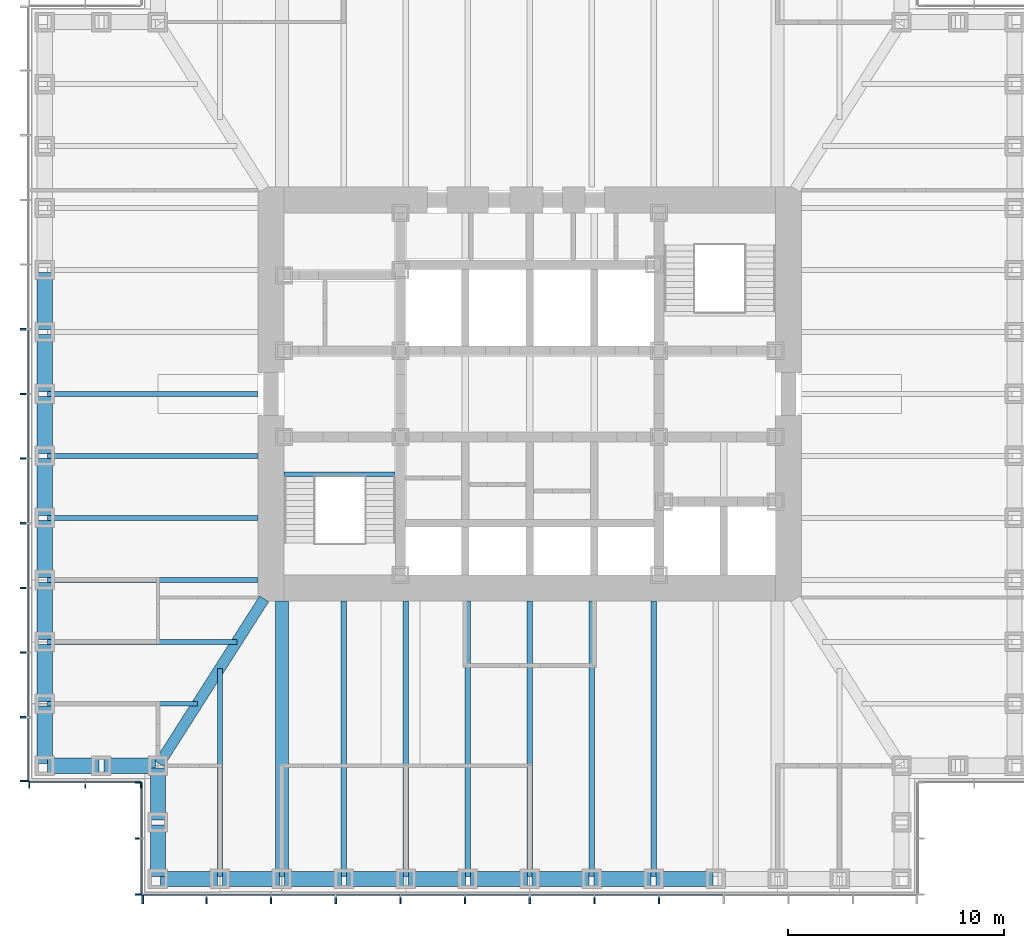
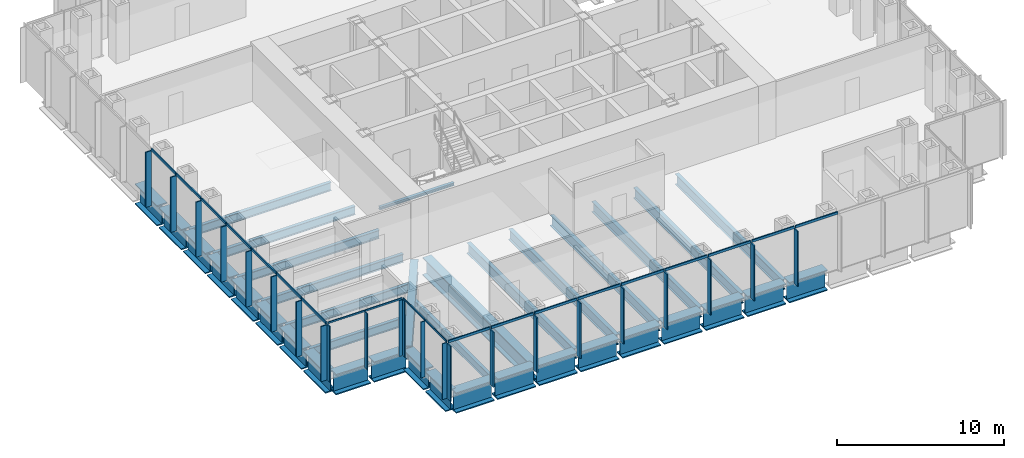
# One storey, part 2 of 16: 43 members, 37 beams, 4 elements without a shape of their own.
"""IFC4 building model written with IfcOpenShell, lengths in metres."""

from ifc_helpers import new_model, si_unit, direction, frame, origin, origin_2d, place, context, subcontext, project, spatial, rectangle, i_section, extrude, material, material_profile, profile_set, type_object, element, aggregate, save


model = new_model("IFC4")

# Units and contexts
model_context = context("Model", 3, precision=1e-05, world=origin(), true_north=direction((0.0, 1.0)))
body_context = subcontext(model_context, "Body", "Model", "MODEL_VIEW")
ifc_project = project(units=[si_unit("LENGTHUNIT", "METRE"), si_unit("AREAUNIT", "SQUARE_METRE"), si_unit("VOLUMEUNIT", "CUBIC_METRE"), si_unit("PLANEANGLEUNIT", "RADIAN"), si_unit("MASSUNIT", "GRAM", prefix="KILO")], contexts=[model_context])

# Site, building, storey
site_placement = place(None, origin())
site = spatial("IfcSite", under=ifc_project, at=site_placement, CompositionType="ELEMENT")
building_placement = place(site_placement, origin())
building = spatial("IfcBuilding", under=site, at=building_placement, Name="Daluyong Arena Tower", CompositionType="ELEMENT")
storey_placement = place(building_placement, frame((0.0, 0.0, 116.5)))
storey = spatial("IfcBuildingStorey", under=building, at=storey_placement, Name="L25", CompositionType="ELEMENT", Elevation=116.5)

# Curtain wall, members
ifc_material_1 = material(Name="Bronze anodised aluminium and glass", Category="aluminium")
curtain_wall_type_1 = type_object("IfcCurtainWallType", Name="Curtain wall CW2", PredefinedType="USERDEFINED", material=ifc_material_1)
curtain_wall_1_placement = place(storey_placement, origin())
curtain_wall_1 = element("IfcCurtainWall", 1, at=curtain_wall_1_placement, inside=storey, type_object=curtain_wall_type_1, Name="curtain wall L25 S", ObjectType="UNITISED CURTAIN WALL", PredefinedType="USERDEFINED")
ifc_material_2 = material(Name="Bronze anodised aluminium fin", Category="aluminium")
ifc_material_profile_1 = material_profile(ifc_material_2, rectangle(XDim=0.39990234375, YDim=0.080078125, at=origin_2d()))
ifc_profile_set_1 = profile_set([ifc_material_profile_1], Name="Bronze anodised aluminium fin")
member_type_1 = type_object("IfcMemberType", Name="CW2 bronze fin 400x80", PredefinedType="MULLION", material=ifc_profile_set_1)
member_1_placement = place(storey_placement, frame((38.0400390625, 56.550048828125, 0.0), z_axis=(0.0, 0.0, 1.0), x_axis=(0.0, 1.0, 0.0)))
member_1 = element("IfcMember", 2, at=member_1_placement, type_object=member_type_1, Name="curtain wall L25 S fin 1", PredefinedType="MULLION", context=body_context, shape_type="SweptSolid", body=[
    extrude(rectangle(XDim=0.39990234375, YDim=0.080078125, at=origin_2d()), origin(), (0.0, 0.0, 1.0), 4.02001953125),
])
member_2_placement = place(storey_placement, frame((41.0, 56.550048828125, 0.0), z_axis=(0.0, 0.0, 1.0), x_axis=(0.0, 1.0, 0.0)))
member_2 = element("IfcMember", 3, at=member_2_placement, type_object=member_type_1, Name="curtain wall L25 S fin 2", PredefinedType="MULLION", context=body_context, shape_type="SweptSolid", body=[
    extrude(rectangle(XDim=0.39990234375, YDim=0.080078125, at=origin_2d()), origin(), (0.0, 0.0, 1.0), 4.02001953125),
])
member_3_placement = place(storey_placement, frame((44.0, 56.550048828125, 0.0), z_axis=(0.0, 0.0, 1.0), x_axis=(0.0, 1.0, 0.0)))
member_3 = element("IfcMember", 4, at=member_3_placement, type_object=member_type_1, Name="curtain wall L25 S fin 3", PredefinedType="MULLION", context=body_context, shape_type="SweptSolid", body=[
    extrude(rectangle(XDim=0.39990234375, YDim=0.080078125, at=origin_2d()), origin(), (0.0, 0.0, 1.0), 4.02001953125),
])
member_4_placement = place(storey_placement, frame((47.0, 56.550048828125, 0.0), z_axis=(0.0, 0.0, 1.0), x_axis=(0.0, 1.0, 0.0)))
member_4 = element("IfcMember", 5, at=member_4_placement, type_object=member_type_1, Name="curtain wall L25 S fin 4", PredefinedType="MULLION", context=body_context, shape_type="SweptSolid", body=[
    extrude(rectangle(XDim=0.39990234375, YDim=0.080078125, at=origin_2d()), origin(), (0.0, 0.0, 1.0), 4.02001953125),
])
member_5_placement = place(storey_placement, frame((50.0, 56.550048828125, 0.0), z_axis=(0.0, 0.0, 1.0), x_axis=(0.0, 1.0, 0.0)))
member_5 = element("IfcMember", 6, at=member_5_placement, type_object=member_type_1, Name="curtain wall L25 S fin 5", PredefinedType="MULLION", context=body_context, shape_type="SweptSolid", body=[
    extrude(rectangle(XDim=0.39990234375, YDim=0.080078125, at=origin_2d()), origin(), (0.0, 0.0, 1.0), 4.02001953125),
])
member_6_placement = place(storey_placement, frame((53.0, 56.550048828125, 0.0), z_axis=(0.0, 0.0, 1.0), x_axis=(0.0, 1.0, 0.0)))
member_6 = element("IfcMember", 7, at=member_6_placement, type_object=member_type_1, Name="curtain wall L25 S fin 6", PredefinedType="MULLION", context=body_context, shape_type="SweptSolid", body=[
    extrude(rectangle(XDim=0.39990234375, YDim=0.080078125, at=origin_2d()), origin(), (0.0, 0.0, 1.0), 4.02001953125),
])
member_7_placement = place(storey_placement, frame((56.0, 56.550048828125, 0.0), z_axis=(0.0, 0.0, 1.0), x_axis=(0.0, 1.0, 0.0)))
member_7 = element("IfcMember", 8, at=member_7_placement, type_object=member_type_1, Name="curtain wall L25 S fin 7", PredefinedType="MULLION", context=body_context, shape_type="SweptSolid", body=[
    extrude(rectangle(XDim=0.39990234375, YDim=0.080078125, at=origin_2d()), origin(), (0.0, 0.0, 1.0), 4.02001953125),
])
member_8_placement = place(storey_placement, frame((59.0, 56.550048828125, 0.0), z_axis=(0.0, 0.0, 1.0), x_axis=(0.0, 1.0, 0.0)))
member_8 = element("IfcMember", 9, at=member_8_placement, type_object=member_type_1, Name="curtain wall L25 S fin 8", PredefinedType="MULLION", context=body_context, shape_type="SweptSolid", body=[
    extrude(rectangle(XDim=0.39990234375, YDim=0.080078125, at=origin_2d()), origin(), (0.0, 0.0, 1.0), 4.02001953125),
])
member_9_placement = place(storey_placement, frame((62.0, 56.550048828125, 0.0), z_axis=(0.0, 0.0, 1.0), x_axis=(0.0, 1.0, 0.0)))
member_9 = element("IfcMember", 10, at=member_9_placement, type_object=member_type_1, Name="curtain wall L25 S fin 9", PredefinedType="MULLION", context=body_context, shape_type="SweptSolid", body=[
    extrude(rectangle(XDim=0.39990234375, YDim=0.080078125, at=origin_2d()), origin(), (0.0, 0.0, 1.0), 4.02001953125),
])

curtain_wall_2_placement = place(storey_placement, origin())
curtain_wall_2 = element("IfcCurtainWall", 11, at=curtain_wall_2_placement, inside=storey, type_object=curtain_wall_type_1, Name="curtain wall L25 W", ObjectType="UNITISED CURTAIN WALL", PredefinedType="USERDEFINED")
member_10_placement = place(storey_placement, frame((32.550048828125, 83.0, 0.0), z_axis=(0.0, 0.0, 1.0), x_axis=(1.0, 0.0, 0.0)))
member_10 = element("IfcMember", 12, at=member_10_placement, type_object=member_type_1, Name="curtain wall L25 W fin 6", PredefinedType="MULLION", context=body_context, shape_type="SweptSolid", body=[
    extrude(rectangle(XDim=0.39990234375, YDim=0.080078125, at=origin_2d()), origin(), (0.0, 0.0, 1.0), 4.02001953125),
])
member_11_placement = place(storey_placement, frame((32.550048828125, 80.0, 0.0), z_axis=(0.0, 0.0, 1.0), x_axis=(1.0, 0.0, 0.0)))
member_11 = element("IfcMember", 13, at=member_11_placement, type_object=member_type_1, Name="curtain wall L25 W fin 7", PredefinedType="MULLION", context=body_context, shape_type="SweptSolid", body=[
    extrude(rectangle(XDim=0.39990234375, YDim=0.080078125, at=origin_2d()), origin(), (0.0, 0.0, 1.0), 4.02001953125),
])
member_12_placement = place(storey_placement, frame((32.550048828125, 77.0, 0.0), z_axis=(0.0, 0.0, 1.0), x_axis=(1.0, 0.0, 0.0)))
member_12 = element("IfcMember", 14, at=member_12_placement, type_object=member_type_1, Name="curtain wall L25 W fin 8", PredefinedType="MULLION", context=body_context, shape_type="SweptSolid", body=[
    extrude(rectangle(XDim=0.39990234375, YDim=0.080078125, at=origin_2d()), origin(), (0.0, 0.0, 1.0), 4.02001953125),
])
member_13_placement = place(storey_placement, frame((32.550048828125, 74.0, 0.0), z_axis=(0.0, 0.0, 1.0), x_axis=(1.0, 0.0, 0.0)))
member_13 = element("IfcMember", 15, at=member_13_placement, type_object=member_type_1, Name="curtain wall L25 W fin 9", PredefinedType="MULLION", context=body_context, shape_type="SweptSolid", body=[
    extrude(rectangle(XDim=0.39990234375, YDim=0.080078125, at=origin_2d()), origin(), (0.0, 0.0, 1.0), 4.02001953125),
])
member_14_placement = place(storey_placement, frame((32.550048828125, 71.0, 0.0), z_axis=(0.0, 0.0, 1.0), x_axis=(1.0, 0.0, 0.0)))
member_14 = element("IfcMember", 16, at=member_14_placement, type_object=member_type_1, Name="curtain wall L25 W fin 10", PredefinedType="MULLION", context=body_context, shape_type="SweptSolid", body=[
    extrude(rectangle(XDim=0.39990234375, YDim=0.080078125, at=origin_2d()), origin(), (0.0, 0.0, 1.0), 4.02001953125),
])
member_15_placement = place(storey_placement, frame((32.550048828125, 68.0, 0.0), z_axis=(0.0, 0.0, 1.0), x_axis=(1.0, 0.0, 0.0)))
member_15 = element("IfcMember", 17, at=member_15_placement, type_object=member_type_1, Name="curtain wall L25 W fin 11", PredefinedType="MULLION", context=body_context, shape_type="SweptSolid", body=[
    extrude(rectangle(XDim=0.39990234375, YDim=0.080078125, at=origin_2d()), origin(), (0.0, 0.0, 1.0), 4.02001953125),
])
member_16_placement = place(storey_placement, frame((32.550048828125, 65.0, 0.0), z_axis=(0.0, 0.0, 1.0), x_axis=(1.0, 0.0, 0.0)))
member_16 = element("IfcMember", 18, at=member_16_placement, type_object=member_type_1, Name="curtain wall L25 W fin 12", PredefinedType="MULLION", context=body_context, shape_type="SweptSolid", body=[
    extrude(rectangle(XDim=0.39990234375, YDim=0.080078125, at=origin_2d()), origin(), (0.0, 0.0, 1.0), 4.02001953125),
])
member_17_placement = place(storey_placement, frame((32.550048828125, 62.0400390625, 0.0), z_axis=(0.0, 0.0, 1.0), x_axis=(1.0, 0.0, 0.0)))
member_17 = element("IfcMember", 19, at=member_17_placement, type_object=member_type_1, Name="curtain wall L25 W fin 13", PredefinedType="MULLION", context=body_context, shape_type="SweptSolid", body=[
    extrude(rectangle(XDim=0.39990234375, YDim=0.080078125, at=origin_2d()), origin(), (0.0, 0.0, 1.0), 4.02001953125),
])

# Member
ifc_material_3 = material(Name="Bronze anodised aluminium", Category="aluminium")
ifc_material_profile_2 = material_profile(ifc_material_3, rectangle(XDim=0.080078125, YDim=0.179931640625, at=origin_2d()))
ifc_profile_set_2 = profile_set([ifc_material_profile_2], Name="Bronze anodised aluminium")
member_type_2 = type_object("IfcMemberType", Name="CW2 stack transom 180x80", PredefinedType="USERDEFINED", material=ifc_profile_set_2)
member_18_placement = place(storey_placement, frame((38.080078125, 56.75, 4.110107421875), z_axis=(1.0, 0.0, 0.0), x_axis=(0.0, 1.0, 0.0)))
member_18 = element("IfcMember", 20, at=member_18_placement, type_object=member_type_2, Name="curtain wall L25 S transom 1", ObjectType="TRANSOM", PredefinedType="USERDEFINED", context=body_context, shape_type="SweptSolid", body=[
    extrude(rectangle(XDim=0.080078125, YDim=0.179931640625, at=origin_2d()), origin(), (0.0, 0.0, 1.0), 2.8798828125),
])

member_19_placement = place(storey_placement, frame((41.0400390625, 56.75, 4.110107421875), z_axis=(1.0, 0.0, 0.0), x_axis=(0.0, 1.0, 0.0)))
member_19 = element("IfcMember", 21, at=member_19_placement, type_object=member_type_2, Name="curtain wall L25 S transom 2", ObjectType="TRANSOM", PredefinedType="USERDEFINED", context=body_context, shape_type="SweptSolid", body=[
    extrude(rectangle(XDim=0.080078125, YDim=0.179931640625, at=origin_2d()), origin(), (0.0, 0.0, 1.0), 2.919921875),
])

member_20_placement = place(storey_placement, frame((44.0400390625, 56.75, 4.110107421875), z_axis=(1.0, 0.0, 0.0), x_axis=(0.0, 1.0, 0.0)))
member_20 = element("IfcMember", 22, at=member_20_placement, type_object=member_type_2, Name="curtain wall L25 S transom 3", ObjectType="TRANSOM", PredefinedType="USERDEFINED", context=body_context, shape_type="SweptSolid", body=[
    extrude(rectangle(XDim=0.080078125, YDim=0.179931640625, at=origin_2d()), origin(), (0.0, 0.0, 1.0), 2.919921875),
])

member_21_placement = place(storey_placement, frame((47.0400390625, 56.75, 4.110107421875), z_axis=(1.0, 0.0, 0.0), x_axis=(0.0, 1.0, 0.0)))
member_21 = element("IfcMember", 23, at=member_21_placement, type_object=member_type_2, Name="curtain wall L25 S transom 4", ObjectType="TRANSOM", PredefinedType="USERDEFINED", context=body_context, shape_type="SweptSolid", body=[
    extrude(rectangle(XDim=0.080078125, YDim=0.179931640625, at=origin_2d()), origin(), (0.0, 0.0, 1.0), 2.919921875),
])

member_22_placement = place(storey_placement, frame((50.0400390625, 56.75, 4.110107421875), z_axis=(1.0, 0.0, 0.0), x_axis=(0.0, 1.0, 0.0)))
member_22 = element("IfcMember", 24, at=member_22_placement, type_object=member_type_2, Name="curtain wall L25 S transom 5", ObjectType="TRANSOM", PredefinedType="USERDEFINED", context=body_context, shape_type="SweptSolid", body=[
    extrude(rectangle(XDim=0.080078125, YDim=0.179931640625, at=origin_2d()), origin(), (0.0, 0.0, 1.0), 2.919921875),
])

member_23_placement = place(storey_placement, frame((53.0400390625, 56.75, 4.110107421875), z_axis=(1.0, 0.0, 0.0), x_axis=(0.0, 1.0, 0.0)))
member_23 = element("IfcMember", 25, at=member_23_placement, type_object=member_type_2, Name="curtain wall L25 S transom 6", ObjectType="TRANSOM", PredefinedType="USERDEFINED", context=body_context, shape_type="SweptSolid", body=[
    extrude(rectangle(XDim=0.080078125, YDim=0.179931640625, at=origin_2d()), origin(), (0.0, 0.0, 1.0), 2.919921875),
])

member_24_placement = place(storey_placement, frame((56.0400390625, 56.75, 4.110107421875), z_axis=(1.0, 0.0, 0.0), x_axis=(0.0, 1.0, 0.0)))
member_24 = element("IfcMember", 26, at=member_24_placement, type_object=member_type_2, Name="curtain wall L25 S transom 7", ObjectType="TRANSOM", PredefinedType="USERDEFINED", context=body_context, shape_type="SweptSolid", body=[
    extrude(rectangle(XDim=0.080078125, YDim=0.179931640625, at=origin_2d()), origin(), (0.0, 0.0, 1.0), 2.919921875),
])

member_25_placement = place(storey_placement, frame((59.0400390625, 56.75, 4.110107421875), z_axis=(1.0, 0.0, 0.0), x_axis=(0.0, 1.0, 0.0)))
member_25 = element("IfcMember", 27, at=member_25_placement, type_object=member_type_2, Name="curtain wall L25 S transom 8", ObjectType="TRANSOM", PredefinedType="USERDEFINED", context=body_context, shape_type="SweptSolid", body=[
    extrude(rectangle(XDim=0.080078125, YDim=0.179931640625, at=origin_2d()), origin(), (0.0, 0.0, 1.0), 2.919921875),
])

member_26_placement = place(storey_placement, frame((62.0400390625, 56.75, 4.110107421875), z_axis=(1.0, 0.0, 0.0), x_axis=(0.0, 1.0, 0.0)))
member_26 = element("IfcMember", 28, at=member_26_placement, type_object=member_type_2, Name="curtain wall L25 S transom 9", ObjectType="TRANSOM", PredefinedType="USERDEFINED", context=body_context, shape_type="SweptSolid", body=[
    extrude(rectangle(XDim=0.080078125, YDim=0.179931640625, at=origin_2d()), origin(), (0.0, 0.0, 1.0), 2.919921875),
])

aggregate(curtain_wall_1, [member_1, member_2, member_3, member_4, member_5, member_6, member_7, member_8, member_9, member_18, member_19, member_20, member_21, member_22, member_23, member_24, member_25, member_26])

member_27_placement = place(storey_placement, frame((32.75, 82.9599609375, 4.110107421875), z_axis=(0.0, -1.0, 0.0), x_axis=(1.0, 0.0, 0.0)))
member_27 = element("IfcMember", 29, at=member_27_placement, type_object=member_type_2, Name="curtain wall L25 W transom 6", ObjectType="TRANSOM", PredefinedType="USERDEFINED", context=body_context, shape_type="SweptSolid", body=[
    extrude(rectangle(XDim=0.080078125, YDim=0.179931640625, at=origin_2d()), origin(), (0.0, 0.0, 1.0), 2.919921875),
])

member_28_placement = place(storey_placement, frame((32.75, 79.9599609375, 4.110107421875), z_axis=(0.0, -1.0, 0.0), x_axis=(1.0, 0.0, 0.0)))
member_28 = element("IfcMember", 30, at=member_28_placement, type_object=member_type_2, Name="curtain wall L25 W transom 7", ObjectType="TRANSOM", PredefinedType="USERDEFINED", context=body_context, shape_type="SweptSolid", body=[
    extrude(rectangle(XDim=0.080078125, YDim=0.179931640625, at=origin_2d()), origin(), (0.0, 0.0, 1.0), 2.919921875),
])

member_29_placement = place(storey_placement, frame((32.75, 76.9599609375, 4.110107421875), z_axis=(0.0, -1.0, 0.0), x_axis=(1.0, 0.0, 0.0)))
member_29 = element("IfcMember", 31, at=member_29_placement, type_object=member_type_2, Name="curtain wall L25 W transom 8", ObjectType="TRANSOM", PredefinedType="USERDEFINED", context=body_context, shape_type="SweptSolid", body=[
    extrude(rectangle(XDim=0.080078125, YDim=0.179931640625, at=origin_2d()), origin(), (0.0, 0.0, 1.0), 2.919921875),
])

member_30_placement = place(storey_placement, frame((32.75, 73.9599609375, 4.110107421875), z_axis=(0.0, -1.0, 0.0), x_axis=(1.0, 0.0, 0.0)))
member_30 = element("IfcMember", 32, at=member_30_placement, type_object=member_type_2, Name="curtain wall L25 W transom 9", ObjectType="TRANSOM", PredefinedType="USERDEFINED", context=body_context, shape_type="SweptSolid", body=[
    extrude(rectangle(XDim=0.080078125, YDim=0.179931640625, at=origin_2d()), origin(), (0.0, 0.0, 1.0), 2.919921875),
])

member_31_placement = place(storey_placement, frame((32.75, 70.9599609375, 4.110107421875), z_axis=(0.0, -1.0, 0.0), x_axis=(1.0, 0.0, 0.0)))
member_31 = element("IfcMember", 33, at=member_31_placement, type_object=member_type_2, Name="curtain wall L25 W transom 10", ObjectType="TRANSOM", PredefinedType="USERDEFINED", context=body_context, shape_type="SweptSolid", body=[
    extrude(rectangle(XDim=0.080078125, YDim=0.179931640625, at=origin_2d()), origin(), (0.0, 0.0, 1.0), 2.919921875),
])

member_32_placement = place(storey_placement, frame((32.75, 67.9599609375, 4.110107421875), z_axis=(0.0, -1.0, 0.0), x_axis=(1.0, 0.0, 0.0)))
member_32 = element("IfcMember", 34, at=member_32_placement, type_object=member_type_2, Name="curtain wall L25 W transom 11", ObjectType="TRANSOM", PredefinedType="USERDEFINED", context=body_context, shape_type="SweptSolid", body=[
    extrude(rectangle(XDim=0.080078125, YDim=0.179931640625, at=origin_2d()), origin(), (0.0, 0.0, 1.0), 2.919921875),
])

member_33_placement = place(storey_placement, frame((32.75, 64.9599609375, 4.110107421875), z_axis=(0.0, -1.0, 0.0), x_axis=(1.0, 0.0, 0.0)))
member_33 = element("IfcMember", 35, at=member_33_placement, type_object=member_type_2, Name="curtain wall L25 W transom 12", ObjectType="TRANSOM", PredefinedType="USERDEFINED", context=body_context, shape_type="SweptSolid", body=[
    extrude(rectangle(XDim=0.080078125, YDim=0.179931640625, at=origin_2d()), origin(), (0.0, 0.0, 1.0), 2.8798828125),
])

aggregate(curtain_wall_2, [member_10, member_11, member_12, member_13, member_14, member_15, member_16, member_17, member_27, member_28, member_29, member_30, member_31, member_32, member_33])

# Curtain wall, members
ifc_material_4 = material(Name="Bronze anodised aluminium and glass", Category="aluminium")
curtain_wall_type_2 = type_object("IfcCurtainWallType", Name="Curtain wall CW7", PredefinedType="USERDEFINED", material=ifc_material_4)
curtain_wall_3_placement = place(storey_placement, origin())
curtain_wall_3 = element("IfcCurtainWall", 36, at=curtain_wall_3_placement, inside=storey, type_object=curtain_wall_type_2, Name="curtain wall L25 SW-S", ObjectType="UNITISED CURTAIN WALL", PredefinedType="USERDEFINED")
ifc_material_5 = material(Name="Bronze anodised aluminium fin", Category="aluminium")
ifc_material_profile_3 = material_profile(ifc_material_5, rectangle(XDim=0.300048828125, YDim=0.06005859375, at=origin_2d()))
ifc_profile_set_3 = profile_set([ifc_material_profile_3], Name="Bronze anodised aluminium fin")
member_type_3 = type_object("IfcMemberType", Name="CW7 bronze fin 300x60", PredefinedType="MULLION", material=ifc_profile_set_3)
member_34_placement = place(storey_placement, frame((32.780029296875, 61.85009765625, 0.0), z_axis=(0.0, 0.0, 1.0), x_axis=(0.0, 1.0, 0.0)))
member_34 = element("IfcMember", 37, at=member_34_placement, type_object=member_type_3, Name="curtain wall L25 SW-S fin 1", PredefinedType="MULLION", context=body_context, shape_type="SweptSolid", body=[
    extrude(rectangle(XDim=0.300048828125, YDim=0.06005859375, at=origin_2d()), origin(), (0.0, 0.0, 1.0), 4.080078125),
])
member_35_placement = place(storey_placement, frame((35.375, 61.85009765625, 0.0), z_axis=(0.0, 0.0, 1.0), x_axis=(0.0, 1.0, 0.0)))
member_35 = element("IfcMember", 38, at=member_35_placement, type_object=member_type_3, Name="curtain wall L25 SW-S fin 2", PredefinedType="MULLION", context=body_context, shape_type="SweptSolid", body=[
    extrude(rectangle(XDim=0.300048828125, YDim=0.06005859375, at=origin_2d()), origin(), (0.0, 0.0, 1.0), 4.080078125),
])
member_36_placement = place(storey_placement, frame((37.969970703125, 61.85009765625, 0.0), z_axis=(0.0, 0.0, 1.0), x_axis=(0.0, 1.0, 0.0)))
member_36 = element("IfcMember", 39, at=member_36_placement, type_object=member_type_3, Name="curtain wall L25 SW-S fin 3", PredefinedType="MULLION", context=body_context, shape_type="SweptSolid", body=[
    extrude(rectangle(XDim=0.300048828125, YDim=0.06005859375, at=origin_2d()), origin(), (0.0, 0.0, 1.0), 4.080078125),
])

curtain_wall_4_placement = place(storey_placement, origin())
curtain_wall_4 = element("IfcCurtainWall", 40, at=curtain_wall_4_placement, inside=storey, type_object=curtain_wall_type_2, Name="curtain wall L25 SW-W", ObjectType="UNITISED CURTAIN WALL", PredefinedType="USERDEFINED")
member_37_placement = place(storey_placement, frame((37.85009765625, 61.969970703125, 0.0), z_axis=(0.0, 0.0, 1.0), x_axis=(1.0, 0.0, 0.0)))
member_37 = element("IfcMember", 41, at=member_37_placement, type_object=member_type_3, Name="curtain wall L25 SW-W fin 1", PredefinedType="MULLION", context=body_context, shape_type="SweptSolid", body=[
    extrude(rectangle(XDim=0.300048828125, YDim=0.06005859375, at=origin_2d()), origin(), (0.0, 0.0, 1.0), 4.080078125),
])
member_38_placement = place(storey_placement, frame((37.85009765625, 59.375, 0.0), z_axis=(0.0, 0.0, 1.0), x_axis=(1.0, 0.0, 0.0)))
member_38 = element("IfcMember", 42, at=member_38_placement, type_object=member_type_3, Name="curtain wall L25 SW-W fin 2", PredefinedType="MULLION", context=body_context, shape_type="SweptSolid", body=[
    extrude(rectangle(XDim=0.300048828125, YDim=0.06005859375, at=origin_2d()), origin(), (0.0, 0.0, 1.0), 4.080078125),
])
member_39_placement = place(storey_placement, frame((37.85009765625, 56.780029296875, 0.0), z_axis=(0.0, 0.0, 1.0), x_axis=(1.0, 0.0, 0.0)))
member_39 = element("IfcMember", 43, at=member_39_placement, type_object=member_type_3, Name="curtain wall L25 SW-W fin 3", PredefinedType="MULLION", context=body_context, shape_type="SweptSolid", body=[
    extrude(rectangle(XDim=0.300048828125, YDim=0.06005859375, at=origin_2d()), origin(), (0.0, 0.0, 1.0), 4.080078125),
])

# Member
ifc_material_6 = material(Name="Bronze anodised aluminium", Category="aluminium")
ifc_material_profile_4 = material_profile(ifc_material_6, rectangle(XDim=0.06005859375, YDim=0.1201171875, at=origin_2d()))
ifc_profile_set_4 = profile_set([ifc_material_profile_4], Name="Bronze anodised aluminium")
member_type_4 = type_object("IfcMemberType", Name="CW7 stack transom 120x60", PredefinedType="USERDEFINED", material=ifc_profile_set_4)
member_40_placement = place(storey_placement, frame((32.81005859375, 62.0, 4.139892578125), z_axis=(1.0, 0.0, 0.0), x_axis=(0.0, 1.0, 0.0)))
member_40 = element("IfcMember", 44, at=member_40_placement, type_object=member_type_4, Name="curtain wall L25 SW-S transom 1", ObjectType="TRANSOM", PredefinedType="USERDEFINED", context=body_context, shape_type="SweptSolid", body=[
    extrude(rectangle(XDim=0.06005859375, YDim=0.1201171875, at=origin_2d()), origin(), (0.0, 0.0, 1.0), 2.534912109375),
])

member_41_placement = place(storey_placement, frame((35.405029296875, 62.0, 4.139892578125), z_axis=(1.0, 0.0, 0.0), x_axis=(0.0, 1.0, 0.0)))
member_41 = element("IfcMember", 45, at=member_41_placement, type_object=member_type_4, Name="curtain wall L25 SW-S transom 2", ObjectType="TRANSOM", PredefinedType="USERDEFINED", context=body_context, shape_type="SweptSolid", body=[
    extrude(rectangle(XDim=0.06005859375, YDim=0.1201171875, at=origin_2d()), origin(), (0.0, 0.0, 1.0), 2.534912109375),
])

aggregate(curtain_wall_3, [member_34, member_35, member_36, member_40, member_41])

member_42_placement = place(storey_placement, frame((38.0, 61.93994140625, 4.139892578125), z_axis=(0.0, -1.0, 0.0), x_axis=(1.0, 0.0, 0.0)))
member_42 = element("IfcMember", 46, at=member_42_placement, type_object=member_type_4, Name="curtain wall L25 SW-W transom 1", ObjectType="TRANSOM", PredefinedType="USERDEFINED", context=body_context, shape_type="SweptSolid", body=[
    extrude(rectangle(XDim=0.06005859375, YDim=0.1201171875, at=origin_2d()), origin(), (0.0, 0.0, 1.0), 2.534912109375),
])

member_43_placement = place(storey_placement, frame((38.0, 59.344970703125, 4.139892578125), z_axis=(0.0, -1.0, 0.0), x_axis=(1.0, 0.0, 0.0)))
member_43 = element("IfcMember", 47, at=member_43_placement, type_object=member_type_4, Name="curtain wall L25 SW-W transom 2", ObjectType="TRANSOM", PredefinedType="USERDEFINED", context=body_context, shape_type="SweptSolid", body=[
    extrude(rectangle(XDim=0.06005859375, YDim=0.1201171875, at=origin_2d()), origin(), (0.0, 0.0, 1.0), 2.534912109375),
])

aggregate(curtain_wall_4, [member_37, member_38, member_39, member_42, member_43])

# Beams
ifc_material_7 = material(Name="Steel ASTM A572 Grade 50", Category="steel")
ifc_material_profile_5 = material_profile(ifc_material_7, i_section(OverallWidth=0.5, OverallDepth=1.0, WebThickness=0.03, FlangeThickness=0.06, at=origin_2d()))
ifc_profile_set_5 = profile_set([ifc_material_profile_5], Name="Steel ASTM A572 Grade 50")
beam_type_1 = type_object("IfcBeamType", Name="Corner girder TB1000X500", PredefinedType="BEAM", material=ifc_profile_set_5)
beam_1_placement = place(storey_placement, frame((38.811767578125, 62.846923828125, -0.659912109375), z_axis=(0.536872006459, 0.843663705916, 0.0), x_axis=(-0.843663705916, 0.536872006459, 0.0)))
element("IfcBeam", 48, at=beam_1_placement, inside=storey, type_object=beam_type_1, Name="corner girder DG2", PredefinedType="BEAM", context=body_context, shape_type="SweptSolid", body=[
    extrude(i_section(OverallWidth=0.5, OverallDepth=1.0, WebThickness=0.03, FlangeThickness=0.06, at=origin_2d()), origin(), (0.0, 0.0, 1.0), 9.06396484375),
])
ifc_material_8 = material(Name="Steel ASTM A572 Grade 50", Category="steel")
ifc_material_profile_6 = material_profile(ifc_material_8, i_section(OverallWidth=0.60009765625, OverallDepth=1.300048828125, WebThickness=0.035, FlangeThickness=0.07, at=origin_2d()))
ifc_profile_set_6 = profile_set([ifc_material_profile_6], Name="Steel ASTM A572 Grade 50")
beam_type_2 = type_object("IfcBeamType", Name="Floor beam TB1300X600", PredefinedType="BEAM", material=ifc_profile_set_6)
beam_2_placement = place(storey_placement, frame((44.5, 57.614990234375, -0.81005859375), z_axis=(0.0, 1.0, 0.0), x_axis=(-1.0, 0.0, 0.0)))
element("IfcBeam", 49, at=beam_2_placement, inside=storey, type_object=beam_type_2, Name="floor beam FB7", PredefinedType="BEAM", context=body_context, shape_type="SweptSolid", body=[
    extrude(i_section(OverallWidth=0.60009765625, OverallDepth=1.300048828125, WebThickness=0.035, FlangeThickness=0.07, at=origin_2d()), origin(), (0.0, 0.0, 1.0), 12.784912109375),
])
ifc_material_9 = material(Name="Steel ASTM A992 Grade 50", Category="steel")
ifc_material_profile_7 = material_profile(ifc_material_9, i_section(OverallWidth=0.22900390625, OverallDepth=0.612060546875, WebThickness=0.011962890625, FlangeThickness=0.01953125, at=origin_2d()))
ifc_profile_set_7 = profile_set([ifc_material_profile_7], Name="Steel ASTM A992 Grade 50")
beam_type_3 = type_object("IfcBeamType", Name="Floor beam W24X84", PredefinedType="BEAM", material=ifc_profile_set_7)
beam_3_placement = place(storey_placement, frame((41.625, 57.614990234375, -0.466064453125), z_axis=(0.0, 1.0, 0.0), x_axis=(-1.0, 0.0, 0.0)))
element("IfcBeam", 50, at=beam_3_placement, inside=storey, type_object=beam_type_3, Name="floor beam FB3", PredefinedType="BEAM", context=body_context, shape_type="SweptSolid", body=[
    extrude(i_section(OverallWidth=0.22900390625, OverallDepth=0.612060546875, WebThickness=0.011962890625, FlangeThickness=0.01953125, at=origin_2d()), origin(), (0.0, 0.0, 1.0), 9.65283203125),
])
for number, where, z_axis, x_axis, name in (
    (51, (33.614990234375, 80.0, -0.466064453125), (1.0, 0.0, 0.0), (0.0, 1.0, 0.0), "floor beam FB3"),
    (52, (33.614990234375, 77.125, -0.466064453125), (1.0, 0.0, 0.0), (0.0, 1.0, 0.0), "floor beam FB3"),
    (53, (33.614990234375, 74.25, -0.466064453125), (1.0, 0.0, 0.0), (0.0, 1.0, 0.0), "floor beam FB3"),
    (54, (33.614990234375, 71.375, -0.466064453125), (1.0, 0.0, 0.0), (0.0, 1.0, 0.0), "floor beam FB3"),
):
    element("IfcBeam", number, at=place(storey_placement, frame(where, z_axis=z_axis, x_axis=x_axis)), inside=storey, type_object=beam_type_3, Name=name, PredefinedType="BEAM", context=body_context, shape_type="SweptSolid", body=[
        extrude(i_section(OverallWidth=0.22900390625, OverallDepth=0.612060546875, WebThickness=0.011962890625, FlangeThickness=0.01953125, at=origin_2d()), origin(), (0.0, 0.0, 1.0), 9.784912109375),
    ])
beam_4_placement = place(storey_placement, frame((33.614990234375, 68.5, -0.466064453125), z_axis=(1.0, 0.0, 0.0), x_axis=(0.0, 1.0, 0.0)))
element("IfcBeam", 55, at=beam_4_placement, inside=storey, type_object=beam_type_3, Name="floor beam FB3", PredefinedType="BEAM", context=body_context, shape_type="SweptSolid", body=[
    extrude(i_section(OverallWidth=0.22900390625, OverallDepth=0.612060546875, WebThickness=0.011962890625, FlangeThickness=0.01953125, at=origin_2d()), origin(), (0.0, 0.0, 1.0), 8.794189453125),
])
beam_5_placement = place(storey_placement, frame((33.614990234375, 65.625, -0.466064453125), z_axis=(1.0, 0.0, 0.0), x_axis=(0.0, 1.0, 0.0)))
element("IfcBeam", 56, at=beam_5_placement, inside=storey, type_object=beam_type_3, Name="floor beam FB3", PredefinedType="BEAM", context=body_context, shape_type="SweptSolid", body=[
    extrude(i_section(OverallWidth=0.22900390625, OverallDepth=0.612060546875, WebThickness=0.011962890625, FlangeThickness=0.01953125, at=origin_2d()), origin(), (0.0, 0.0, 1.0), 6.964599609375),
])
ifc_material_10 = material(Name="Steel ASTM A992 Grade 50", Category="steel")
ifc_material_profile_8 = material_profile(ifc_material_10, i_section(OverallWidth=0.2666015625, OverallDepth=0.761962890625, WebThickness=0.014404296875, FlangeThickness=0.021484375, at=origin_2d()))
ifc_profile_set_8 = profile_set([ifc_material_profile_8], Name="Steel ASTM A992 Grade 50")
beam_type_4 = type_object("IfcBeamType", Name="Floor beam W30X116", PredefinedType="BEAM", material=ifc_profile_set_8)
for number, where, z_axis, x_axis, name in (
    (57, (47.375, 57.614990234375, -0.541015625), (0.0, 1.0, 0.0), (-1.0, 0.0, 0.0), "floor beam FB4"),
    (58, (50.25, 57.614990234375, -0.541015625), (0.0, 1.0, 0.0), (-1.0, 0.0, 0.0), "floor beam FB4"),
    (59, (53.125, 57.614990234375, -0.541015625), (0.0, 1.0, 0.0), (-1.0, 0.0, 0.0), "floor beam FB4"),
    (60, (56.0, 57.614990234375, -0.541015625), (0.0, 1.0, 0.0), (-1.0, 0.0, 0.0), "floor beam FB4"),
    (61, (58.875, 57.614990234375, -0.541015625), (0.0, 1.0, 0.0), (-1.0, 0.0, 0.0), "floor beam FB4"),
    (62, (61.75, 57.614990234375, -0.541015625), (0.0, 1.0, 0.0), (-1.0, 0.0, 0.0), "floor beam FB4"),
):
    element("IfcBeam", number, at=place(storey_placement, frame(where, z_axis=z_axis, x_axis=x_axis)), inside=storey, type_object=beam_type_4, Name=name, PredefinedType="BEAM", context=body_context, shape_type="SweptSolid", body=[
        extrude(i_section(OverallWidth=0.2666015625, OverallDepth=0.761962890625, WebThickness=0.014404296875, FlangeThickness=0.021484375, at=origin_2d()), origin(), (0.0, 0.0, 1.0), 12.784912109375),
    ])
ifc_material_11 = material(Name="Steel ASTM A572 Grade 50", Category="steel")
ifc_material_profile_9 = material_profile(ifc_material_11, i_section(OverallWidth=0.699951171875, OverallDepth=1.5, WebThickness=0.04, FlangeThickness=0.08, at=origin_2d()))
ifc_profile_set_9 = profile_set([ifc_material_profile_9], Name="Steel ASTM A572 Grade 50")
beam_type_5 = type_object("IfcBeamType", Name="Spandrel Z2 PG1500X700", PredefinedType="SPANDREL", material=ifc_profile_set_9)
for number, where, z_axis, x_axis, name in (
    (63, (38.864990234375, 57.5, -0.909912109375), (1.0, 0.0, 0.0), (0.0, 1.0, 0.0), "spandrel z2 SB6"),
    (64, (41.739990234375, 57.5, -0.909912109375), (1.0, 0.0, 0.0), (0.0, 1.0, 0.0), "spandrel z2 SB6"),
    (65, (44.614990234375, 57.5, -0.909912109375), (1.0, 0.0, 0.0), (0.0, 1.0, 0.0), "spandrel z2 SB6"),
    (66, (47.489990234375, 57.5, -0.909912109375), (1.0, 0.0, 0.0), (0.0, 1.0, 0.0), "spandrel z2 SB6"),
    (67, (50.364990234375, 57.5, -0.909912109375), (1.0, 0.0, 0.0), (0.0, 1.0, 0.0), "spandrel z2 SB6"),
    (68, (53.239990234375, 57.5, -0.909912109375), (1.0, 0.0, 0.0), (0.0, 1.0, 0.0), "spandrel z2 SB6"),
    (69, (56.114990234375, 57.5, -0.909912109375), (1.0, 0.0, 0.0), (0.0, 1.0, 0.0), "spandrel z2 SB6"),
    (70, (58.989990234375, 57.5, -0.909912109375), (1.0, 0.0, 0.0), (0.0, 1.0, 0.0), "spandrel z2 SB6"),
    (71, (61.864990234375, 57.5, -0.909912109375), (1.0, 0.0, 0.0), (0.0, 1.0, 0.0), "spandrel z2 SB6"),
    (72, (33.5, 85.635009765625, -0.909912109375), (0.0, -1.0, 0.0), (1.0, 0.0, 0.0), "spandrel z2 SB6"),
    (73, (33.5, 82.760009765625, -0.909912109375), (0.0, -1.0, 0.0), (1.0, 0.0, 0.0), "spandrel z2 SB6"),
    (74, (33.5, 79.885009765625, -0.909912109375), (0.0, -1.0, 0.0), (1.0, 0.0, 0.0), "spandrel z2 SB6"),
    (75, (33.5, 77.010009765625, -0.909912109375), (0.0, -1.0, 0.0), (1.0, 0.0, 0.0), "spandrel z2 SB6"),
    (76, (33.5, 74.135009765625, -0.909912109375), (0.0, -1.0, 0.0), (1.0, 0.0, 0.0), "spandrel z2 SB6"),
    (77, (33.5, 71.260009765625, -0.909912109375), (0.0, -1.0, 0.0), (1.0, 0.0, 0.0), "spandrel z2 SB6"),
    (78, (33.5, 68.385009765625, -0.909912109375), (0.0, -1.0, 0.0), (1.0, 0.0, 0.0), "spandrel z2 SB6"),
    (79, (33.5, 65.510009765625, -0.909912109375), (0.0, -1.0, 0.0), (1.0, 0.0, 0.0), "spandrel z2 SB6"),
):
    element("IfcBeam", number, at=place(storey_placement, frame(where, z_axis=z_axis, x_axis=x_axis)), inside=storey, type_object=beam_type_5, Name=name, PredefinedType="SPANDREL", context=body_context, shape_type="SweptSolid", body=[
        extrude(i_section(OverallWidth=0.699951171875, OverallDepth=1.5, WebThickness=0.04, FlangeThickness=0.08, at=origin_2d()), origin(), (0.0, 0.0, 1.0), 2.64501953125),
    ])
for number, where, z_axis, x_axis, name in (
    (80, (33.614990234375, 62.75, -0.909912109375), (1.0, 0.0, 0.0), (0.0, 1.0, 0.0), "spandrel z2 SB6"),
    (81, (36.239990234375, 62.75, -0.909912109375), (1.0, 0.0, 0.0), (0.0, 1.0, 0.0), "spandrel z2 SB6"),
    (82, (38.75, 62.635009765625, -0.909912109375), (0.0, -1.0, 0.0), (1.0, 0.0, 0.0), "spandrel z2 SB6"),
    (83, (38.75, 60.010009765625, -0.909912109375), (0.0, -1.0, 0.0), (1.0, 0.0, 0.0), "spandrel z2 SB6"),
):
    element("IfcBeam", number, at=place(storey_placement, frame(where, z_axis=z_axis, x_axis=x_axis)), inside=storey, type_object=beam_type_5, Name=name, PredefinedType="SPANDREL", context=body_context, shape_type="SweptSolid", body=[
        extrude(i_section(OverallWidth=0.699951171875, OverallDepth=1.5, WebThickness=0.04, FlangeThickness=0.08, at=origin_2d()), origin(), (0.0, 0.0, 1.0), 2.39501953125),
    ])
ifc_material_12 = material(Name="Steel ASTM A992 Grade 50", Category="steel")
ifc_material_profile_10 = material_profile(ifc_material_12, i_section(OverallWidth=0.203125, OverallDepth=0.203125, WebThickness=0.00732421875, FlangeThickness=0.010986328125, at=origin_2d()))
ifc_profile_set_10 = profile_set([ifc_material_profile_10], Name="Steel ASTM A992 Grade 50")
beam_type_6 = type_object("IfcBeamType", Name="Stair landing beam W8X31", PredefinedType="BEAM", material=ifc_profile_set_10)
beam_6_placement = place(storey_placement, frame((44.60009765625, 76.276611328125, -0.26171875), z_axis=(1.0, 0.0, 0.0), x_axis=(0.0, 1.0, 0.0)))
element("IfcBeam", 84, at=beam_6_placement, inside=storey, type_object=beam_type_6, Name="exit stair A landing beam", PredefinedType="BEAM", context=body_context, shape_type="SweptSolid", body=[
    extrude(i_section(OverallWidth=0.203125, OverallDepth=0.203125, WebThickness=0.00732421875, FlangeThickness=0.010986328125, at=origin_2d()), origin(), (0.0, 0.0, 1.0), 5.14990234375),
])

save(model, "model.ifc")
